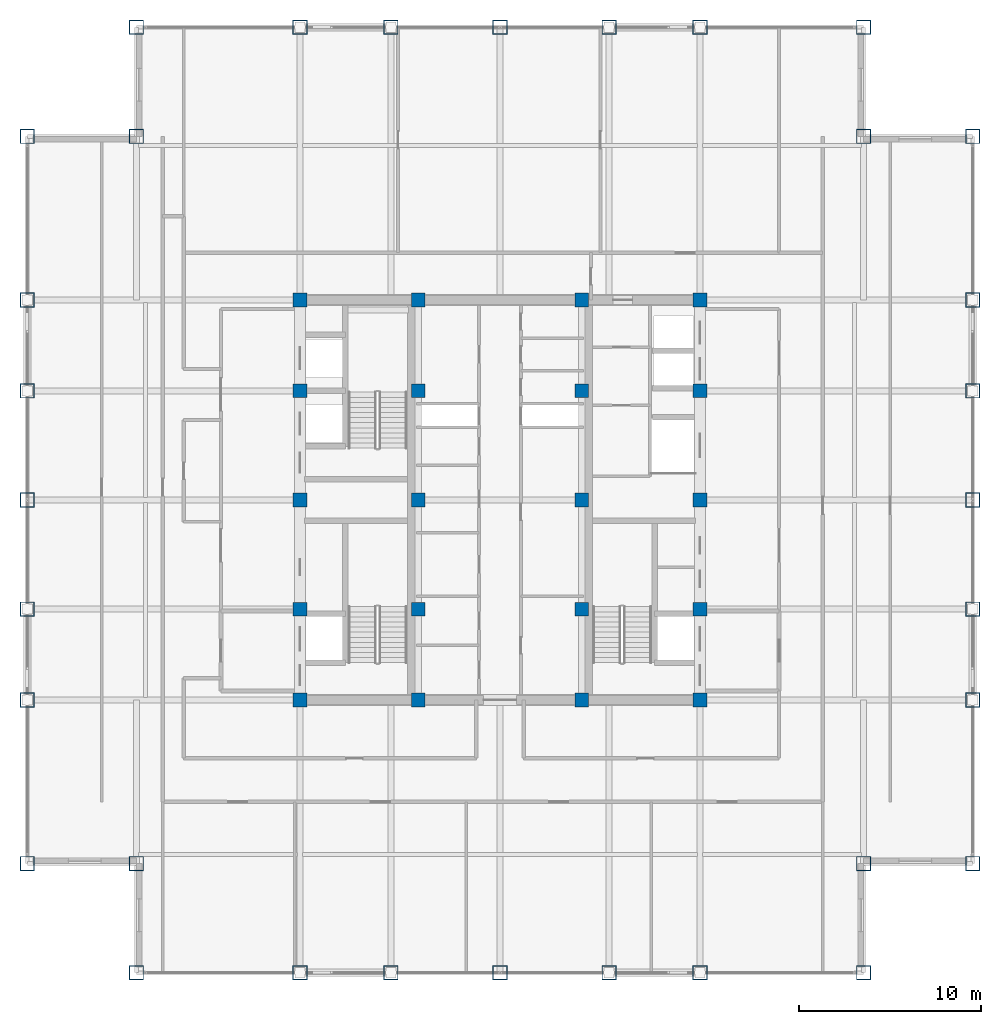
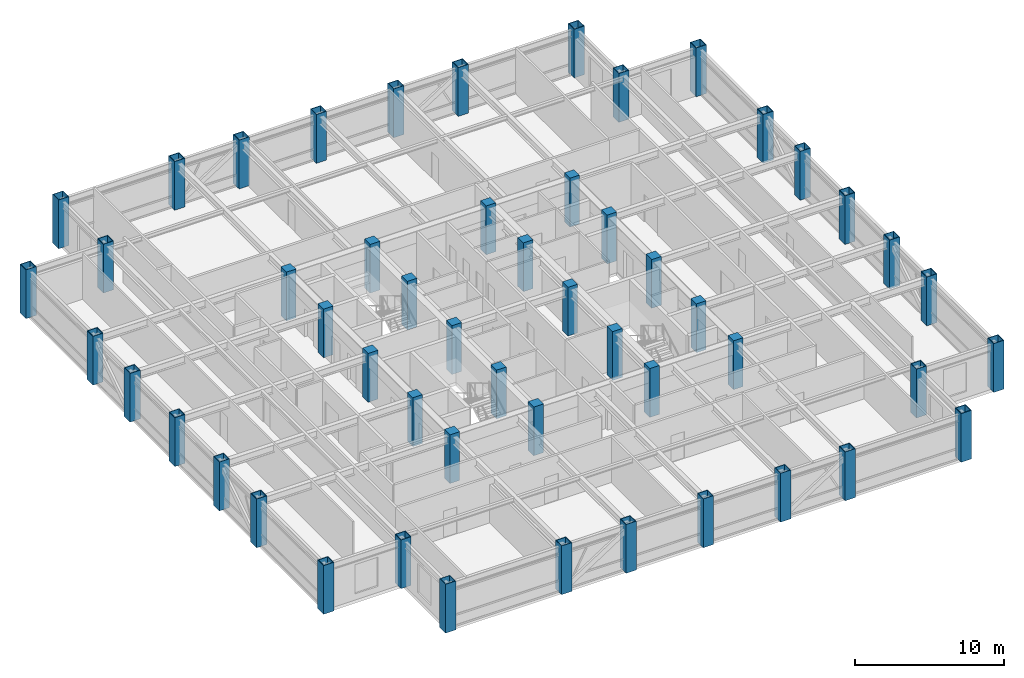
# One storey, part 1 of 28: 52 columns.
"""IFC4 building model written with IfcOpenShell, lengths in metres."""

from ifc_helpers import new_model, si_unit, direction, frame, origin, origin_2d, place, context, subcontext, project, spatial, rectangle, hollow_rectangle, extrude, source, transform, mapped, material, material_profile, profile_set, type_object, element, save


model = new_model("IFC4")

# Units and contexts
model_context = context("Model", 3, precision=1e-05, world=origin(), true_north=direction((0.0, 1.0)))
body_context = subcontext(model_context, "Body", "Model", "MODEL_VIEW")
ifc_project = project(units=[si_unit("LENGTHUNIT", "METRE"), si_unit("AREAUNIT", "SQUARE_METRE"), si_unit("VOLUMEUNIT", "CUBIC_METRE"), si_unit("PLANEANGLEUNIT", "RADIAN"), si_unit("MASSUNIT", "GRAM", prefix="KILO")], contexts=[model_context])

# Site, building, storey
site_placement = place(None, origin())
site = spatial("IfcSite", under=ifc_project, at=site_placement, CompositionType="ELEMENT")
building_placement = place(site_placement, origin())
building = spatial("IfcBuilding", under=site, at=building_placement, Name="Khorayat Bourse Tower", CompositionType="ELEMENT")
storey_placement = place(building_placement, frame((0.0, 0.0, 330.300048828125)))
storey = spatial("IfcBuildingStorey", under=building, at=storey_placement, Name="L78", CompositionType="ELEMENT", Elevation=330.300048828125)

# Columns
ifc_material_1 = material(Name="Concrete C52/65", Category="concrete")
ifc_material_profile_1 = material_profile(ifc_material_1, rectangle(XDim=0.75, YDim=0.75, at=origin_2d()), Name="RC 750x750")
ifc_profile_set_1 = profile_set([ifc_material_profile_1], Name="Concrete C52/65")
column_type_1 = type_object("IfcColumnType", Name="COL-CORE-750", PredefinedType="COLUMN", material=ifc_profile_set_1)
shared_shape_1 = source(origin(), body_context, "Body", "SweptSolid", [
    extrude(rectangle(XDim=0.75, YDim=0.75, at=origin_2d()), origin(), (0.0, 0.0, 1.0), 4.0),
])
for number, where, z_axis, x_axis, name in (
    (1, (-11.0, -11.0, 0.0), (0.0, 0.0, 1.0), (1.0, 0.0, 0.0), "L78 Column 013"),
    (2, (-11.0, -6.0, 0.0), (0.0, 0.0, 1.0), (1.0, 0.0, 0.0), "L78 Column 014"),
    (3, (-11.0, 0.0, 0.0), (0.0, 0.0, 1.0), (1.0, 0.0, 0.0), "L78 Column 015"),
    (4, (-11.0, 6.0, 0.0), (0.0, 0.0, 1.0), (1.0, 0.0, 0.0), "L78 Column 016"),
    (5, (-11.0, 11.0, 0.0), (0.0, 0.0, 1.0), (1.0, 0.0, 0.0), "L78 Column 017"),
    (6, (-4.5, -11.0, 0.0), (0.0, 0.0, 1.0), (1.0, 0.0, 0.0), "L78 Column 021"),
    (7, (-4.5, -6.0, 0.0), (0.0, 0.0, 1.0), (1.0, 0.0, 0.0), "L78 Column 022"),
    (8, (-4.5, 0.0, 0.0), (0.0, 0.0, 1.0), (1.0, 0.0, 0.0), "L78 Column 023"),
    (9, (-4.5, 6.0, 0.0), (0.0, 0.0, 1.0), (1.0, 0.0, 0.0), "L78 Column 024"),
    (10, (-4.5, 11.0, 0.0), (0.0, 0.0, 1.0), (1.0, 0.0, 0.0), "L78 Column 025"),
    (11, (4.5, -11.0, 0.0), (0.0, 0.0, 1.0), (1.0, 0.0, 0.0), "L78 Column 028"),
    (12, (4.5, -6.0, 0.0), (0.0, 0.0, 1.0), (1.0, 0.0, 0.0), "L78 Column 029"),
    (13, (4.5, 0.0, 0.0), (0.0, 0.0, 1.0), (1.0, 0.0, 0.0), "L78 Column 030"),
    (14, (4.5, 6.0, 0.0), (0.0, 0.0, 1.0), (1.0, 0.0, 0.0), "L78 Column 031"),
    (15, (4.5, 11.0, 0.0), (0.0, 0.0, 1.0), (1.0, 0.0, 0.0), "L78 Column 032"),
    (16, (11.0, -11.0, 0.0), (0.0, 0.0, 1.0), (1.0, 0.0, 0.0), "L78 Column 036"),
    (17, (11.0, -6.0, 0.0), (0.0, 0.0, 1.0), (1.0, 0.0, 0.0), "L78 Column 037"),
    (18, (11.0, 0.0, 0.0), (0.0, 0.0, 1.0), (1.0, 0.0, 0.0), "L78 Column 038"),
    (19, (11.0, 6.0, 0.0), (0.0, 0.0, 1.0), (1.0, 0.0, 0.0), "L78 Column 039"),
    (20, (11.0, 11.0, 0.0), (0.0, 0.0, 1.0), (1.0, 0.0, 0.0), "L78 Column 040"),
):
    element("IfcColumn", number, at=place(storey_placement, frame(where, z_axis=z_axis, x_axis=x_axis)), inside=storey, type_object=column_type_1, Name=name, PredefinedType="COLUMN", context=body_context, shape_type="MappedRepresentation", body=[
        mapped(shared_shape_1, transform((0.0, 0.0, 0.0), scale=1.0)),
    ])
ifc_material_2 = material(Name="Steel EN 10025-2 S355J2", Category="steel")
ifc_material_profile_2 = material_profile(ifc_material_2, hollow_rectangle(XDim=0.800048828125, YDim=0.800048828125, WallThickness=0.044921875, at=origin_2d()), Name="BOX 800x800x45")
ifc_profile_set_2 = profile_set([ifc_material_profile_2], Name="Steel EN 10025-2 S355J2")
column_type_2 = type_object("IfcColumnType", Name="COL-TUBE-800", PredefinedType="COLUMN", material=ifc_profile_set_2)
shared_shape_2 = source(origin(), body_context, "Body", "SweptSolid", [
    extrude(hollow_rectangle(XDim=0.800048828125, YDim=0.800048828125, WallThickness=0.044921875, at=origin_2d()), origin(), (0.0, 0.0, 1.0), 4.0),
])
for number, where, z_axis, x_axis, name in (
    (21, (-26.0, -20.0, 0.0), (0.0, 0.0, 1.0), (1.0, 0.0, 0.0), "L78 Column 001"),
    (22, (-26.0, -11.0, 0.0), (0.0, 0.0, 1.0), (1.0, 0.0, 0.0), "L78 Column 002"),
    (23, (-26.0, -6.0, 0.0), (0.0, 0.0, 1.0), (1.0, 0.0, 0.0), "L78 Column 003"),
    (24, (-26.0, 0.0, 0.0), (0.0, 0.0, 1.0), (1.0, 0.0, 0.0), "L78 Column 004"),
    (25, (-26.0, 6.0, 0.0), (0.0, 0.0, 1.0), (1.0, 0.0, 0.0), "L78 Column 005"),
    (26, (-26.0, 11.0, 0.0), (0.0, 0.0, 1.0), (1.0, 0.0, 0.0), "L78 Column 006"),
    (27, (-26.0, 20.0, 0.0), (0.0, 0.0, 1.0), (1.0, 0.0, 0.0), "L78 Column 007"),
    (28, (-20.0, -26.0, 0.0), (0.0, 0.0, 1.0), (1.0, 0.0, 0.0), "L78 Column 008"),
    (29, (-20.0, -20.0, 0.0), (0.0, 0.0, 1.0), (1.0, 0.0, 0.0), "L78 Column 009"),
    (30, (-20.0, 20.0, 0.0), (0.0, 0.0, 1.0), (1.0, 0.0, 0.0), "L78 Column 010"),
    (31, (-20.0, 26.0, 0.0), (0.0, 0.0, 1.0), (1.0, 0.0, 0.0), "L78 Column 011"),
    (32, (-11.0, -26.0, 0.0), (0.0, 0.0, 1.0), (1.0, 0.0, 0.0), "L78 Column 012"),
    (33, (-11.0, 26.0, 0.0), (0.0, 0.0, 1.0), (1.0, 0.0, 0.0), "L78 Column 018"),
    (34, (-6.0, -26.0, 0.0), (0.0, 0.0, 1.0), (1.0, 0.0, 0.0), "L78 Column 019"),
    (35, (-6.0, 26.0, 0.0), (0.0, 0.0, 1.0), (1.0, 0.0, 0.0), "L78 Column 020"),
    (36, (0.0, -26.0, 0.0), (0.0, 0.0, 1.0), (1.0, 0.0, 0.0), "L78 Column 026"),
    (37, (0.0, 26.0, 0.0), (0.0, 0.0, 1.0), (1.0, 0.0, 0.0), "L78 Column 027"),
    (38, (6.0, -26.0, 0.0), (0.0, 0.0, 1.0), (1.0, 0.0, 0.0), "L78 Column 033"),
    (39, (6.0, 26.0, 0.0), (0.0, 0.0, 1.0), (1.0, 0.0, 0.0), "L78 Column 034"),
    (40, (11.0, -26.0, 0.0), (0.0, 0.0, 1.0), (1.0, 0.0, 0.0), "L78 Column 035"),
    (41, (11.0, 26.0, 0.0), (0.0, 0.0, 1.0), (1.0, 0.0, 0.0), "L78 Column 041"),
    (42, (20.0, -26.0, 0.0), (0.0, 0.0, 1.0), (1.0, 0.0, 0.0), "L78 Column 042"),
    (43, (20.0, -20.0, 0.0), (0.0, 0.0, 1.0), (1.0, 0.0, 0.0), "L78 Column 043"),
    (44, (20.0, 20.0, 0.0), (0.0, 0.0, 1.0), (1.0, 0.0, 0.0), "L78 Column 044"),
    (45, (20.0, 26.0, 0.0), (0.0, 0.0, 1.0), (1.0, 0.0, 0.0), "L78 Column 045"),
    (46, (26.0, -20.0, 0.0), (0.0, 0.0, 1.0), (1.0, 0.0, 0.0), "L78 Column 046"),
    (47, (26.0, -11.0, 0.0), (0.0, 0.0, 1.0), (1.0, 0.0, 0.0), "L78 Column 047"),
    (48, (26.0, -6.0, 0.0), (0.0, 0.0, 1.0), (1.0, 0.0, 0.0), "L78 Column 048"),
    (49, (26.0, 0.0, 0.0), (0.0, 0.0, 1.0), (1.0, 0.0, 0.0), "L78 Column 049"),
    (50, (26.0, 6.0, 0.0), (0.0, 0.0, 1.0), (1.0, 0.0, 0.0), "L78 Column 050"),
    (51, (26.0, 11.0, 0.0), (0.0, 0.0, 1.0), (1.0, 0.0, 0.0), "L78 Column 051"),
    (52, (26.0, 20.0, 0.0), (0.0, 0.0, 1.0), (1.0, 0.0, 0.0), "L78 Column 052"),
):
    element("IfcColumn", number, at=place(storey_placement, frame(where, z_axis=z_axis, x_axis=x_axis)), inside=storey, type_object=column_type_2, Name=name, PredefinedType="COLUMN", context=body_context, shape_type="MappedRepresentation", body=[
        mapped(shared_shape_2, transform((0.0, 0.0, 0.0), scale=1.0)),
    ])

save(model, "model.ifc")
